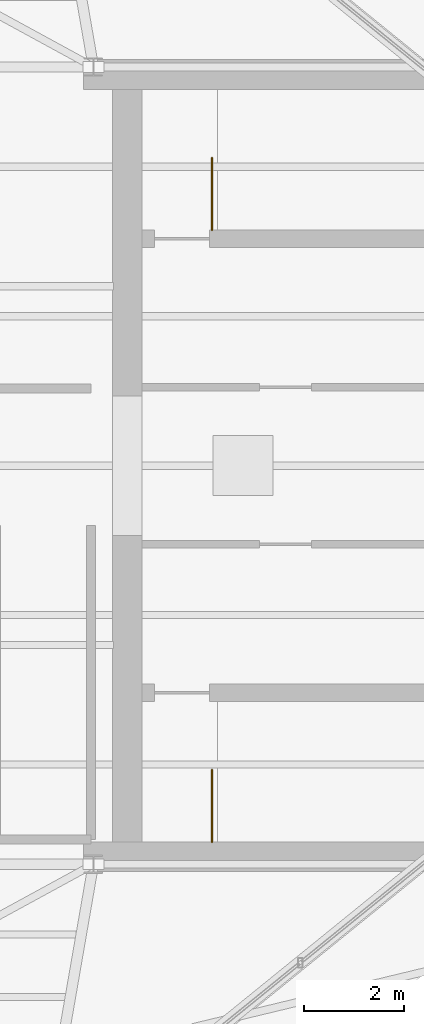
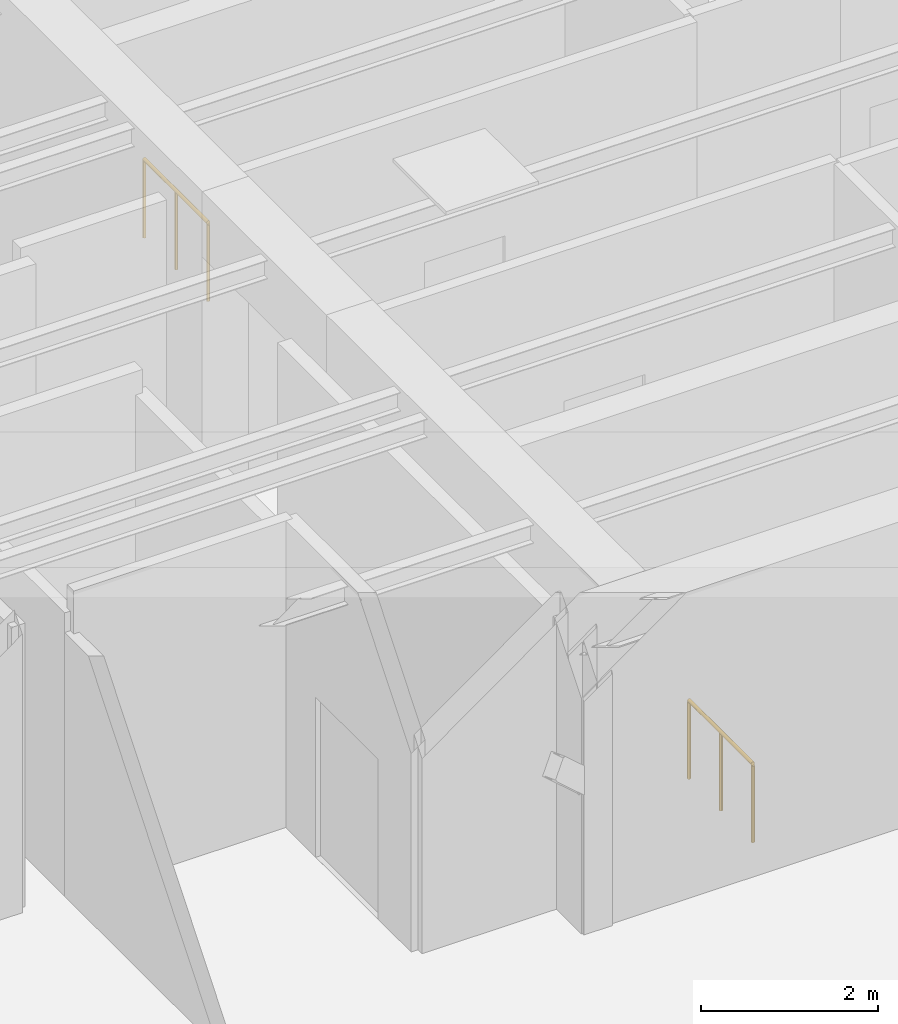
# One storey, part 11 of 11: 2 railings.
"""IFC4 building model written with IfcOpenShell, lengths in metres."""

from ifc_helpers import new_model, si_unit, direction, frame, origin, origin_2d, place, context, subcontext, project, spatial, circle, extrude, material, type_object, element, save


model = new_model("IFC4")

# Units and contexts
model_context = context("Model", 3, precision=1e-05, world=origin(), true_north=direction((0.0, 1.0)))
body_context = subcontext(model_context, "Body", "Model", "MODEL_VIEW")
ifc_project = project(units=[si_unit("LENGTHUNIT", "METRE"), si_unit("AREAUNIT", "SQUARE_METRE"), si_unit("VOLUMEUNIT", "CUBIC_METRE"), si_unit("PLANEANGLEUNIT", "RADIAN"), si_unit("MASSUNIT", "GRAM", prefix="KILO")], contexts=[model_context])

# Site, building, storey
site_placement = place(None, origin())
site = spatial("IfcSite", under=ifc_project, at=site_placement, CompositionType="ELEMENT")
building_placement = place(site_placement, origin())
building = spatial("IfcBuilding", under=site, at=building_placement, Name="Veymaron Broadcast Tower", CompositionType="ELEMENT")
storey_placement = place(building_placement, frame((0.0, 0.0, 336.89990234375)))
storey = spatial("IfcBuildingStorey", under=building, at=storey_placement, Name="L79", CompositionType="ELEMENT", Elevation=336.89990234375)

# Railings
ifc_material = material(Name="Painted galvanized steel balustrade", Category="steel")
railing_type = type_object("IfcRailingType", Name="RAIL-WELL-GRD", PredefinedType="GUARDRAIL", material=ifc_material)
for number, where, name in (
    (1, (41.3798828125, 28.72998046875, 0.0), "L79 ST1 top well guard 1"),
    (2, (41.3798828125, 16.449951171875, 0.0), "L79 ST2 top well guard 1"),
):
    element("IfcRailing", number, at=place(storey_placement, frame(where)), inside=storey, type_object=railing_type, Name=name, PredefinedType="GUARDRAIL", context=body_context, shape_type="SweptSolid", body=[
        extrude(circle(Radius=0.02392578125, at=origin_2d()), frame((0.0, 0.0, 1.076171875), z_axis=(0.0, 1.0, 0.0), x_axis=(-1.0, 0.0, 0.0)), (0.0, 0.0, 1.0), 1.43994140625),
        extrude(circle(Radius=0.02099609375, at=origin_2d()), origin(), (0.0, 0.0, 1.0), 1.052001953125),
        extrude(circle(Radius=0.02099609375, at=origin_2d()), frame((0.0, 0.719970703125, 0.0)), (0.0, 0.0, 1.0), 1.052001953125),
        extrude(circle(Radius=0.02099609375, at=origin_2d()), frame((0.0, 1.43994140625, 0.0)), (0.0, 0.0, 1.0), 1.052001953125),
    ])

save(model, "model.ifc")
